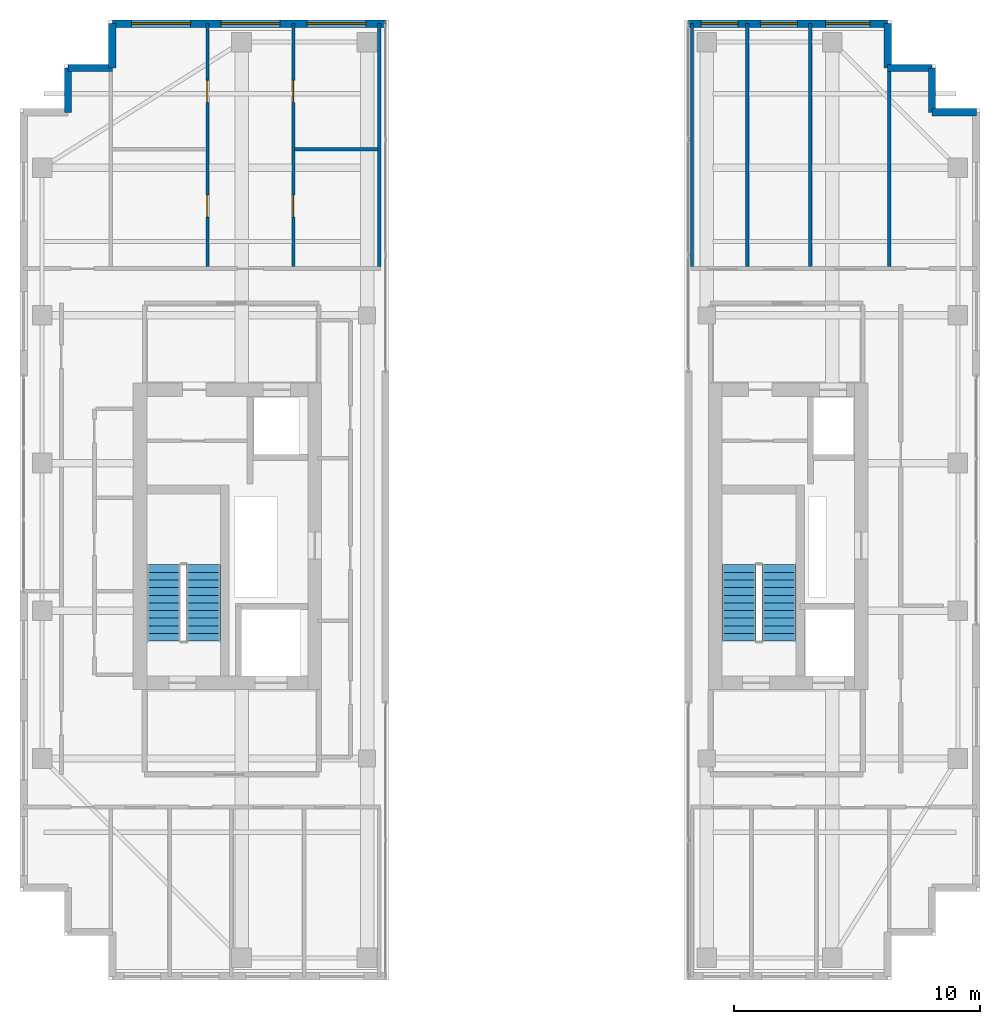
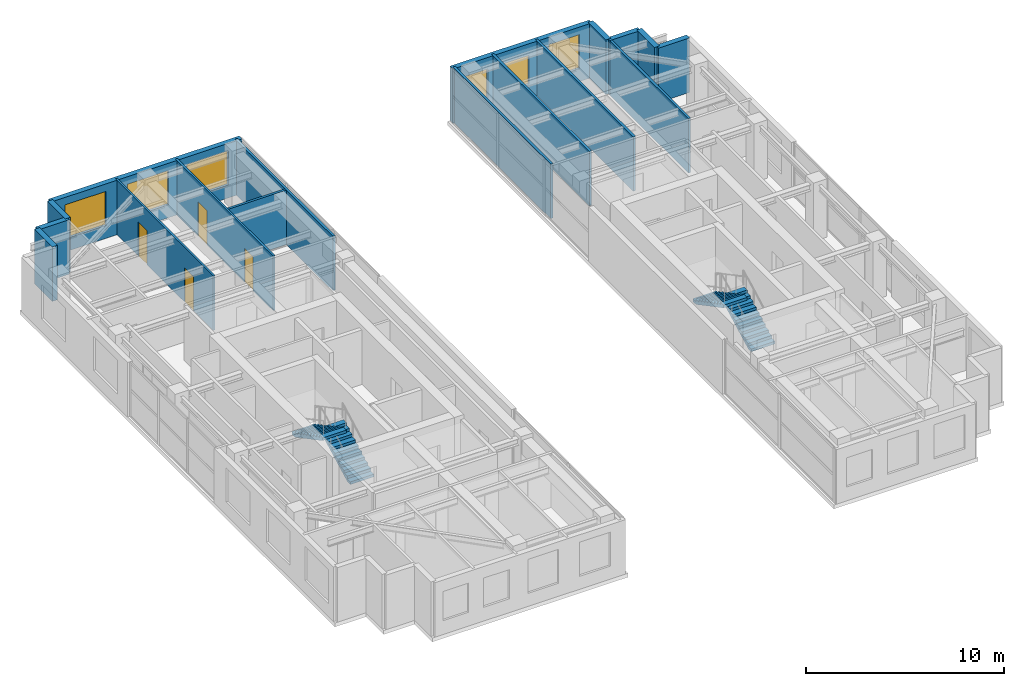
# One storey, part 21 of 23: 17 walls, 6 windows, 4 doors, 4 stair flights, 10 openings, 2 elements without a shape of their own.
"""IFC4 building model written with IfcOpenShell, lengths in metres."""

from ifc_helpers import new_model, si_unit, direction, frame, frame_2d, origin, place, context, subcontext, project, spatial, polyline, rectangle, outline, extrude, source, transform, mapped, material, layer, layer_set, type_object, element, fill, aggregate, save


model = new_model("IFC4")

# Units and contexts
model_context = context("Model", 3, precision=1e-05, world=origin(), true_north=direction((0.0, 1.0)))
body_context = subcontext(model_context, "Body", "Model", "MODEL_VIEW")
ifc_project = project(units=[si_unit("LENGTHUNIT", "METRE"), si_unit("AREAUNIT", "SQUARE_METRE"), si_unit("VOLUMEUNIT", "CUBIC_METRE"), si_unit("PLANEANGLEUNIT", "RADIAN"), si_unit("MASSUNIT", "GRAM", prefix="KILO")], contexts=[model_context])

# Site, building, storey
site_placement = place(None, origin())
site = spatial("IfcSite", under=ifc_project, at=site_placement, CompositionType="ELEMENT")
building_placement = place(site_placement, origin())
building = spatial("IfcBuilding", under=site, at=building_placement, Name="Khoralis Quay Care Tower", CompositionType="ELEMENT")
storey_placement = place(building_placement, frame((0.0, 0.0, 252.89990234375)))
storey = spatial("IfcBuildingStorey", under=building, at=storey_placement, Name="L66", CompositionType="ELEMENT", Elevation=252.89990234375)

# Wall, openings, windows
ifc_material_1 = material(Name="Precast concrete C45/55", Category="concrete")
ifc_layer_1 = layer(ifc_material_1, 0.300048828125)
ifc_layer_set_1 = layer_set([ifc_layer_1], Name="Precast concrete C45/55")
wall_type_1 = type_object("IfcWallType", Name="WL-EXT-REF-300", PredefinedType="SOLIDWALL", material=ifc_layer_set_1)
wall_1_placement = place(storey_placement, frame((17.85009765625, 41.85009765625, 0.0), z_axis=(0.0, 0.0, 1.0), x_axis=(-1.0, 0.0, 0.0)))
wall_1 = element("IfcWall", 1, at=wall_1_placement, inside=storey, type_object=wall_type_1, Name="L66 External Facade Wall WL-EXT-L66-P1-E2", PredefinedType="SOLIDWALL", context=body_context, shape_type="SweptSolid", body=[
    extrude(rectangle(XDim=11.10009765625, YDim=0.300048828125, at=frame_2d((5.550048828125, 0.0))), origin(), (0.0, 0.0, 1.0), 3.360107421875),
])
opening_1_placement = place(wall_1_placement, frame((0.797119140625, 0.0, 0.800048828125)))
opening_1 = element("IfcOpeningElement", 2, at=opening_1_placement, cuts=wall_1, Name="Opening W1", PredefinedType="OPENING", context=body_context, shape_type="SweptSolid", body=[
    extrude(rectangle(XDim=2.39990234375, YDim=2.10009765625, at=frame_2d((1.199951171875, 1.050048828125))), frame((0.0, 0.16015625, 0.0), z_axis=(0.0, -1.0, 0.0), x_axis=(1.0, 0.0, 0.0)), (0.0, 0.0, 1.0), 0.320068359375),
])
opening_2_placement = place(wall_1_placement, frame((4.29150390625, 0.0, 0.800048828125)))
opening_2 = element("IfcOpeningElement", 3, at=opening_2_placement, cuts=wall_1, Name="Opening W1", PredefinedType="OPENING", context=body_context, shape_type="SweptSolid", body=[
    extrude(rectangle(XDim=2.39990234375, YDim=2.10009765625, at=frame_2d((1.199951171875, 1.050048828125))), frame((0.0, 0.16015625, 0.0), z_axis=(0.0, -1.0, 0.0), x_axis=(1.0, 0.0, 0.0)), (0.0, 0.0, 1.0), 0.320068359375),
])
opening_3_placement = place(wall_1_placement, frame((7.91943359375, 0.0, 0.800048828125)))
opening_3 = element("IfcOpeningElement", 4, at=opening_3_placement, cuts=wall_1, Name="Opening W1", PredefinedType="OPENING", context=body_context, shape_type="SweptSolid", body=[
    extrude(rectangle(XDim=2.39990234375, YDim=2.10009765625, at=frame_2d((1.199951171875, 1.050048828125))), frame((0.0, 0.16015625, 0.0), z_axis=(0.0, -1.0, 0.0), x_axis=(1.0, 0.0, 0.0)), (0.0, 0.0, 1.0), 0.320068359375),
])
ifc_material_2 = material(Name="Low-E solar-control double glazing", Category="glass")
window_type_1 = type_object("IfcWindowType", Name="WN-POD-2400X2100", PartitioningType="SINGLE_PANEL", PredefinedType="WINDOW", material=ifc_material_2)
shared_shape_1 = source(origin(), body_context, "Body", "SweptSolid", [
    extrude(rectangle(XDim=2.39990234375, YDim=2.10009765625, at=frame_2d((1.199951171875, 1.050048828125))), frame((0.0, 0.030029296875, 0.0), z_axis=(0.0, -1.0, 0.0), x_axis=(1.0, 0.0, 0.0)), (0.0, 0.0, 1.0), 0.06005859375),
])
window_1_placement = place(opening_1_placement, origin())
window_1 = element("IfcWindow", 5, at=window_1_placement, inside=storey, type_object=window_type_1, Name="WN-L66-P1-E2 Facade Window 01", OverallHeight=2.10009765625, OverallWidth=2.39990234375, PartitioningType="SINGLE_PANEL", PredefinedType="WINDOW", context=body_context, shape_type="MappedRepresentation", body=[
    mapped(shared_shape_1, transform((0.0, 0.0, 0.0), scale=1.0)),
])
fill(opening_1, window_1)
window_2_placement = place(opening_2_placement, origin())
window_2 = element("IfcWindow", 6, at=window_2_placement, inside=storey, type_object=window_type_1, Name="WN-L66-P1-E2 Facade Window 02", OverallHeight=2.10009765625, OverallWidth=2.39990234375, PartitioningType="SINGLE_PANEL", PredefinedType="WINDOW", context=body_context, shape_type="MappedRepresentation", body=[
    mapped(shared_shape_1, transform((0.0, 0.0, 0.0), scale=1.0)),
])
fill(opening_2, window_2)
window_3_placement = place(opening_3_placement, origin())
window_3 = element("IfcWindow", 7, at=window_3_placement, inside=storey, type_object=window_type_1, Name="WN-L66-P1-E2 Facade Window 03", OverallHeight=2.10009765625, OverallWidth=2.39990234375, PartitioningType="SINGLE_PANEL", PredefinedType="WINDOW", context=body_context, shape_type="MappedRepresentation", body=[
    mapped(shared_shape_1, transform((0.0, 0.0, 0.0), scale=1.0)),
])
fill(opening_3, window_3)

# Walls
for number, where, z_axis, x_axis, name in (
    (8, (6.75, 41.85009765625, 0.0), (0.0, 0.0, 1.0), (0.0, -1.0, 0.0), "L66 External Facade Wall WL-EXT-L66-P1-C3"),
    (9, (6.75, 40.050048828125, 0.0), (0.0, 0.0, 1.0), (-1.0, 0.0, 0.0), "L66 External Facade Wall WL-EXT-L66-P1-C4"),
    (10, (4.949951171875, 40.050048828125, 0.0), (0.0, 0.0, 1.0), (0.0, -1.0, 0.0), "L66 External Facade Wall WL-EXT-L66-P1-C5"),
    (11, (41.85009765625, 38.25, 0.0), (0.0, 0.0, 1.0), (-1.0, 0.0, 0.0), "L66 External Facade Wall WL-EXT-L66-P2-C6"),
    (12, (40.050048828125, 38.25, 0.0), (0.0, 0.0, 1.0), (0.0, 1.0, 0.0), "L66 External Facade Wall WL-EXT-L66-P2-C7"),
    (13, (40.050048828125, 40.050048828125, 0.0), (0.0, 0.0, 1.0), (-1.0, 0.0, 0.0), "L66 External Facade Wall WL-EXT-L66-P2-C8"),
    (14, (38.25, 40.050048828125, 0.0), (0.0, 0.0, 1.0), (0.0, 1.0, 0.0), "L66 External Facade Wall WL-EXT-L66-P2-C9"),
):
    element("IfcWall", number, at=place(storey_placement, frame(where, z_axis=z_axis, x_axis=x_axis)), inside=storey, type_object=wall_type_1, Name=name, PredefinedType="SOLIDWALL", context=body_context, shape_type="SweptSolid", body=[
        extrude(rectangle(XDim=1.800048828125, YDim=0.300048828125, at=frame_2d((0.89990234375, 0.0))), origin(), (0.0, 0.0, 1.0), 3.360107421875),
    ])

# Wall, openings, windows
wall_2_placement = place(storey_placement, frame((38.25, 41.85009765625, 0.0), z_axis=(0.0, 0.0, 1.0), x_axis=(-1.0, 0.0, 0.0)))
wall_2 = element("IfcWall", 15, at=wall_2_placement, inside=storey, type_object=wall_type_1, Name="L66 External Facade Wall WL-EXT-L66-P2-E10", PredefinedType="SOLIDWALL", context=body_context, shape_type="SweptSolid", body=[
    extrude(rectangle(XDim=8.10009765625, YDim=0.300048828125, at=frame_2d((4.050048828125, 0.0))), origin(), (0.0, 0.0, 1.0), 3.360107421875),
])
opening_4_placement = place(wall_2_placement, frame((0.719970703125, 0.0, 0.800048828125)))
opening_4 = element("IfcOpeningElement", 16, at=opening_4_placement, cuts=wall_2, Name="Opening W2", PredefinedType="OPENING", context=body_context, shape_type="SweptSolid", body=[
    extrude(rectangle(XDim=1.800048828125, YDim=2.10009765625, at=frame_2d((0.89990234375, 1.050048828125))), frame((0.0, 0.16015625, 0.0), z_axis=(0.0, -1.0, 0.0), x_axis=(1.0, 0.0, 0.0)), (0.0, 0.0, 1.0), 0.320068359375),
])
opening_5_placement = place(wall_2_placement, frame((3.669921875, 0.0, 0.85009765625)))
opening_5 = element("IfcOpeningElement", 17, at=opening_5_placement, cuts=wall_2, Name="Opening W3", PredefinedType="OPENING", context=body_context, shape_type="SweptSolid", body=[
    extrude(rectangle(XDim=1.5, YDim=1.800048828125, at=frame_2d((0.75, 0.89990234375))), frame((0.0, 0.16015625, 0.0), z_axis=(0.0, -1.0, 0.0), x_axis=(1.0, 0.0, 0.0)), (0.0, 0.0, 1.0), 0.320068359375),
])
opening_6_placement = place(wall_2_placement, frame((6.074951171875, 0.0, 0.85009765625)))
opening_6 = element("IfcOpeningElement", 18, at=opening_6_placement, cuts=wall_2, Name="Opening W3", PredefinedType="OPENING", context=body_context, shape_type="SweptSolid", body=[
    extrude(rectangle(XDim=1.5, YDim=1.800048828125, at=frame_2d((0.75, 0.89990234375))), frame((0.0, 0.16015625, 0.0), z_axis=(0.0, -1.0, 0.0), x_axis=(1.0, 0.0, 0.0)), (0.0, 0.0, 1.0), 0.320068359375),
])
window_type_2 = type_object("IfcWindowType", Name="WN-CLIN-1500X1800", PartitioningType="SINGLE_PANEL", PredefinedType="WINDOW", material=ifc_material_2)
shared_shape_2 = source(origin(), body_context, "Body", "SweptSolid", [
    extrude(rectangle(XDim=1.5, YDim=1.800048828125, at=frame_2d((0.75, 0.89990234375))), frame((0.0, 0.030029296875, 0.0), z_axis=(0.0, -1.0, 0.0), x_axis=(1.0, 0.0, 0.0)), (0.0, 0.0, 1.0), 0.06005859375),
])
window_4_placement = place(opening_5_placement, origin())
window_4 = element("IfcWindow", 19, at=window_4_placement, inside=storey, type_object=window_type_2, Name="WN-L66-P2-E10 Facade Window 02", OverallHeight=1.800048828125, OverallWidth=1.5, PartitioningType="SINGLE_PANEL", PredefinedType="WINDOW", context=body_context, shape_type="MappedRepresentation", body=[
    mapped(shared_shape_2, transform((0.0, 0.0, 0.0), scale=1.0)),
])
fill(opening_5, window_4)
window_5_placement = place(opening_6_placement, origin())
window_5 = element("IfcWindow", 20, at=window_5_placement, inside=storey, type_object=window_type_2, Name="WN-L66-P2-E10 Facade Window 03", OverallHeight=1.800048828125, OverallWidth=1.5, PartitioningType="SINGLE_PANEL", PredefinedType="WINDOW", context=body_context, shape_type="MappedRepresentation", body=[
    mapped(shared_shape_2, transform((0.0, 0.0, 0.0), scale=1.0)),
])
fill(opening_6, window_5)
window_type_3 = type_object("IfcWindowType", Name="WN-POD-1800X2100", PartitioningType="SINGLE_PANEL", PredefinedType="WINDOW", material=ifc_material_2)
shared_shape_3 = source(origin(), body_context, "Body", "SweptSolid", [
    extrude(rectangle(XDim=1.800048828125, YDim=2.10009765625, at=frame_2d((0.89990234375, 1.050048828125))), frame((0.0, 0.030029296875, 0.0), z_axis=(0.0, -1.0, 0.0), x_axis=(1.0, 0.0, 0.0)), (0.0, 0.0, 1.0), 0.06005859375),
])
window_6_placement = place(opening_4_placement, origin())
window_6 = element("IfcWindow", 21, at=window_6_placement, inside=storey, type_object=window_type_3, Name="WN-L66-P2-E10 Facade Window 01", OverallHeight=2.10009765625, OverallWidth=1.800048828125, PartitioningType="SINGLE_PANEL", PredefinedType="WINDOW", context=body_context, shape_type="MappedRepresentation", body=[
    mapped(shared_shape_3, transform((0.0, 0.0, 0.0), scale=1.0)),
])
fill(opening_4, window_6)

# Wall, openings, doors
ifc_material_3 = material(Name="Gypsum plasterboard on acoustic metal stud")
ifc_layer_2 = layer(ifc_material_3, 0.114990234375)
ifc_layer_set_2 = layer_set([ifc_layer_2], Name="Gypsum plasterboard on acoustic metal stud")
wall_type_2 = type_object("IfcWallType", Name="WL-PART-115", PredefinedType="PARTITIONING", material=ifc_layer_set_2)
wall_3_placement = place(storey_placement, frame((10.611083984375, 31.9775390625, 0.0), z_axis=(0.0, 0.0, 1.0), x_axis=(0.0, 1.0, 0.0)))
wall_3 = element("IfcWall", 22, at=wall_3_placement, inside=storey, type_object=wall_type_2, Name="L66 2BR 0 Left Wall", PredefinedType="PARTITIONING", context=body_context, shape_type="SweptSolid", body=[
    extrude(rectangle(XDim=9.87744140625, YDim=0.114990234375, at=frame_2d((4.938720703125, 0.0))), origin(), (0.0, 0.0, 1.0), 3.360107421875),
])
opening_7_placement = place(wall_3_placement, frame((6.67138671875, 0.0, 0.0)))
opening_7 = element("IfcOpeningElement", 23, at=opening_7_placement, cuts=wall_3, Name="Opening WD1", PredefinedType="OPENING", context=body_context, shape_type="SweptSolid", body=[
    extrude(rectangle(XDim=0.89990234375, YDim=2.10009765625, at=frame_2d((0.449951171875, 1.050048828125))), frame((0.0, 0.0673828125, 0.0), z_axis=(0.0, -1.0, 0.0), x_axis=(1.0, 0.0, 0.0)), (0.0, 0.0, 1.0), 0.135009765625),
])
opening_8_placement = place(wall_3_placement, frame((2.011474609375, 0.0, 0.0)))
opening_8 = element("IfcOpeningElement", 24, at=opening_8_placement, cuts=wall_3, Name="Opening WD1", PredefinedType="OPENING", context=body_context, shape_type="SweptSolid", body=[
    extrude(rectangle(XDim=0.89990234375, YDim=2.10009765625, at=frame_2d((0.449951171875, 1.050048828125))), frame((0.0, 0.0673828125, 0.0), z_axis=(0.0, -1.0, 0.0), x_axis=(1.0, 0.0, 0.0)), (0.0, 0.0, 1.0), 0.135009765625),
])
ifc_material_4 = material(Name="Acoustic hardwood timber", Category="wood")
door_type = type_object("IfcDoorType", Name="DR-BATH-900X2100", OperationType="NOTDEFINED", PredefinedType="DOOR", material=ifc_material_4)
shared_shape_4 = source(origin(), body_context, "Body", "SweptSolid", [
    extrude(rectangle(XDim=0.89990234375, YDim=2.10009765625, at=frame_2d((0.449951171875, 1.050048828125))), frame((0.0, 0.02490234375, 0.0), z_axis=(0.0, -1.0, 0.0), x_axis=(1.0, 0.0, 0.0)), (0.0, 0.0, 1.0), 0.050048828125),
])
door_1_placement = place(opening_7_placement, origin())
door_1 = element("IfcDoor", 25, at=door_1_placement, inside=storey, type_object=door_type, Name="L66 2BR BD1 Door", OperationType="SINGLE_SWING_RIGHT", OverallHeight=2.10009765625, OverallWidth=0.89990234375, PredefinedType="DOOR", context=body_context, shape_type="MappedRepresentation", body=[
    mapped(shared_shape_4, transform((0.0, 0.0, 0.0), scale=1.0)),
])
fill(opening_7, door_1)
door_2_placement = place(opening_8_placement, origin())
door_2 = element("IfcDoor", 26, at=door_2_placement, inside=storey, type_object=door_type, Name="L66 2BR BTH Door", OperationType="SINGLE_SWING_LEFT", OverallHeight=2.10009765625, OverallWidth=0.89990234375, PredefinedType="DOOR", context=body_context, shape_type="MappedRepresentation", body=[
    mapped(shared_shape_4, transform((0.0, 0.0, 0.0), scale=1.0)),
])
fill(opening_8, door_2)

wall_4_placement = place(storey_placement, frame((14.10595703125, 31.9775390625, 0.0), z_axis=(0.0, 0.0, 1.0), x_axis=(0.0, 1.0, 0.0)))
wall_4 = element("IfcWall", 27, at=wall_4_placement, inside=storey, type_object=wall_type_2, Name="L66 2BR 0 Right Wall", PredefinedType="PARTITIONING", context=body_context, shape_type="SweptSolid", body=[
    extrude(rectangle(XDim=9.87744140625, YDim=0.114990234375, at=frame_2d((4.938720703125, 0.0))), origin(), (0.0, 0.0, 1.0), 3.360107421875),
])
opening_9_placement = place(wall_4_placement, frame((6.67138671875, 0.0, 0.0)))
opening_9 = element("IfcOpeningElement", 28, at=opening_9_placement, cuts=wall_4, Name="Opening WD1", PredefinedType="OPENING", context=body_context, shape_type="SweptSolid", body=[
    extrude(rectangle(XDim=0.89990234375, YDim=2.10009765625, at=frame_2d((0.449951171875, 1.050048828125))), frame((0.0, 0.0673828125, 0.0), z_axis=(0.0, -1.0, 0.0), x_axis=(1.0, 0.0, 0.0)), (0.0, 0.0, 1.0), 0.135009765625),
])
opening_10_placement = place(wall_4_placement, frame((2.011474609375, 0.0, 0.0)))
opening_10 = element("IfcOpeningElement", 29, at=opening_10_placement, cuts=wall_4, Name="Opening WD1", PredefinedType="OPENING", context=body_context, shape_type="SweptSolid", body=[
    extrude(rectangle(XDim=0.89990234375, YDim=2.10009765625, at=frame_2d((0.449951171875, 1.050048828125))), frame((0.0, 0.0673828125, 0.0), z_axis=(0.0, -1.0, 0.0), x_axis=(1.0, 0.0, 0.0)), (0.0, 0.0, 1.0), 0.135009765625),
])
door_3_placement = place(opening_9_placement, frame((0.89990234375, 0.0, 0.0), z_axis=(0.0, 0.0, 1.0), x_axis=(-1.0, 0.0, 0.0)))
door_3 = element("IfcDoor", 30, at=door_3_placement, inside=storey, type_object=door_type, Name="L66 2BR BD2 Door", OperationType="SINGLE_SWING_RIGHT", OverallHeight=2.10009765625, OverallWidth=0.89990234375, PredefinedType="DOOR", context=body_context, shape_type="MappedRepresentation", body=[
    mapped(shared_shape_4, transform((0.0, 0.0, 0.0), scale=1.0)),
])
fill(opening_9, door_3)
door_4_placement = place(opening_10_placement, frame((0.89990234375, 0.0, 0.0), z_axis=(0.0, 0.0, 1.0), x_axis=(-1.0, 0.0, 0.0)))
door_4 = element("IfcDoor", 31, at=door_4_placement, inside=storey, type_object=door_type, Name="L66 2BR KIT Door", OperationType="SINGLE_SWING_LEFT", OverallHeight=2.10009765625, OverallWidth=0.89990234375, PredefinedType="DOOR", context=body_context, shape_type="MappedRepresentation", body=[
    mapped(shared_shape_4, transform((0.0, 0.0, 0.0), scale=1.0)),
])
fill(opening_10, door_4)

# Walls
ifc_material_5 = material(Name="Moisture-resistant gypsum and ceramic tile")
ifc_layer_3 = layer(ifc_material_5, 0.280029296875)
ifc_layer_set_3 = layer_set([ifc_layer_3], Name="Moisture-resistant gypsum and ceramic tile")
wall_type_3 = type_object("IfcWallType", Name="WL-PLUMB-280", PredefinedType="PLUMBINGWALL", material=ifc_layer_set_3)
wall_5_placement = place(storey_placement, frame((14.158447265625, 36.748046875, 0.0), z_axis=(0.0, 0.0, 1.0), x_axis=(1.0, 0.0, 0.0)))
element("IfcWall", 32, at=wall_5_placement, inside=storey, type_object=wall_type_3, Name="L66 2BR 0 Right Split", PredefinedType="PLUMBINGWALL", context=body_context, shape_type="SweptSolid", body=[
    extrude(rectangle(XDim=3.37646484375, YDim=0.139892578125, at=frame_2d((1.688232421875, 0.0))), origin(), (0.0, 0.0, 1.0), 3.360107421875),
])
ifc_layer_4 = layer(ifc_material_3, 0.139892578125)
ifc_layer_set_4 = layer_set([ifc_layer_4], Name="Gypsum plasterboard on acoustic metal stud")
wall_type_4 = type_object("IfcWallType", Name="WL-UNIT-140", PredefinedType="PARTITIONING", material=ifc_layer_set_4)
for number, where, z_axis, x_axis, name in (
    (33, (17.60009765625, 31.9775390625, 0.0), (0.0, 0.0, 1.0), (0.0, 1.0, 0.0), "L66 WN Demising Wall 1"),
    (34, (30.300048828125, 31.9775390625, 0.0), (0.0, 0.0, 1.0), (0.0, 1.0, 0.0), "L66 EN Demising Wall 0"),
    (35, (32.550048828125, 31.9775390625, 0.0), (0.0, 0.0, 1.0), (0.0, 1.0, 0.0), "L66 EN Demising Wall 1"),
    (36, (35.110107421875, 31.9775390625, 0.0), (0.0, 0.0, 1.0), (0.0, 1.0, 0.0), "L66 EN Demising Wall 2"),
):
    element("IfcWall", number, at=place(storey_placement, frame(where, z_axis=z_axis, x_axis=x_axis)), inside=storey, type_object=wall_type_4, Name=name, PredefinedType="PARTITIONING", context=body_context, shape_type="SweptSolid", body=[
        extrude(rectangle(XDim=9.87744140625, YDim=0.139892578125, at=frame_2d((4.938720703125, 0.0))), origin(), (0.0, 0.0, 1.0), 3.360107421875),
    ])
wall_6_placement = place(storey_placement, frame((38.320068359375, 31.9775390625, 0.0), z_axis=(0.0, 0.0, 1.0), x_axis=(0.0, 1.0, 0.0)))
element("IfcWall", 37, at=wall_6_placement, inside=storey, type_object=wall_type_4, Name="L66 EN Demising Wall 3", PredefinedType="PARTITIONING", context=body_context, shape_type="SweptSolid", body=[
    extrude(rectangle(XDim=8.077392578125, YDim=0.139892578125, at=frame_2d((4.03857421875, 0.0))), origin(), (0.0, 0.0, 1.0), 3.360107421875),
])

# Stair, stair flights
stair_type = type_object("IfcStairType", Name="ST-TWR-DOGLEG-1400", PredefinedType="HALF_TURN_STAIR", material=ifc_material_1)
stair_1_placement = place(storey_placement, origin())
stair_1 = element("IfcStair", 38, at=stair_1_placement, inside=storey, type_object=stair_type, Name="L66 West Core Exit Stair ST-T1", PredefinedType="HALF_TURN_STAIR")
stair_flight_type = type_object("IfcStairFlightType", Name="SF-TWR-1400", PredefinedType="STRAIGHT", material=ifc_material_1)
shared_shape_5 = source(origin(), body_context, "Body", "SweptSolid", [
    extrude(outline(polyline([(0.0, 0.0), (0.0, 0.16357421875), (0.31005859375, 0.16357421875), (0.31005859375, 0.327392578125), (0.6201171875, 0.327392578125), (0.6201171875, 0.490966796875), (0.929931640625, 0.490966796875), (0.929931640625, 0.654541015625), (1.239990234375, 0.654541015625), (1.239990234375, 0.818115234375), (1.550048828125, 0.818115234375), (1.550048828125, 0.98193359375), (1.860107421875, 0.98193359375), (1.860107421875, 1.1455078125), (2.169921875, 1.1455078125), (2.169921875, 1.30908203125), (2.47998046875, 1.30908203125), (2.47998046875, 1.47265625), (2.7900390625, 1.47265625), (2.7900390625, 1.636474609375), (3.10009765625, 1.636474609375), (3.10009765625, 1.800048828125), (3.10009765625, 1.466796875), (0.321044921875, 0.0), (0.0, 0.0)])), frame((0.0, 0.68994140625, 0.0), z_axis=(0.0, -1.0, 0.0), x_axis=(1.0, 0.0, 0.0)), (0.0, 0.0, 1.0), 1.3798828125),
])
stair_flight_1_placement = place(storey_placement, frame((10.4599609375, 16.77001953125, 0.0), z_axis=(0.0, 0.0, 1.0), x_axis=(0.0, 1.0, 0.0)))
stair_flight_1 = element("IfcStairFlight", 39, at=stair_flight_1_placement, type_object=stair_flight_type, Name="ST-T1 flight 1", NumberOfRisers=11, NumberOfTreads=10, PredefinedType="STRAIGHT", RiserHeight=0.163636364, TreadLength=0.31, context=body_context, shape_type="MappedRepresentation", body=[
    mapped(shared_shape_5, transform((0.0, 0.0, 0.0), scale=1.0)),
])
stair_flight_2_placement = place(storey_placement, frame((8.840087890625, 19.8701171875, 1.800048828125), z_axis=(0.0, 0.0, 1.0), x_axis=(0.0, -1.0, 0.0)))
stair_flight_2 = element("IfcStairFlight", 40, at=stair_flight_2_placement, type_object=stair_flight_type, Name="ST-T1 flight 2", NumberOfRisers=11, NumberOfTreads=10, PredefinedType="STRAIGHT", RiserHeight=0.163636364, TreadLength=0.31, context=body_context, shape_type="MappedRepresentation", body=[
    mapped(shared_shape_5, transform((0.0, 0.0, 0.0), scale=1.0)),
])
aggregate(stair_1, [stair_flight_1, stair_flight_2])

stair_2_placement = place(storey_placement, origin())
stair_2 = element("IfcStair", 41, at=stair_2_placement, inside=storey, type_object=stair_type, Name="L66 East Core Exit Stair ST-T2", PredefinedType="HALF_TURN_STAIR")
stair_flight_3_placement = place(storey_placement, frame((33.830078125, 16.77001953125, 0.0), z_axis=(0.0, 0.0, 1.0), x_axis=(0.0, 1.0, 0.0)))
stair_flight_3 = element("IfcStairFlight", 42, at=stair_flight_3_placement, type_object=stair_flight_type, Name="ST-T2 flight 1", NumberOfRisers=11, NumberOfTreads=10, PredefinedType="STRAIGHT", RiserHeight=0.163636364, TreadLength=0.31, context=body_context, shape_type="MappedRepresentation", body=[
    mapped(shared_shape_5, transform((0.0, 0.0, 0.0), scale=1.0)),
])
stair_flight_4_placement = place(storey_placement, frame((32.2099609375, 19.8701171875, 1.800048828125), z_axis=(0.0, 0.0, 1.0), x_axis=(0.0, -1.0, 0.0)))
stair_flight_4 = element("IfcStairFlight", 43, at=stair_flight_4_placement, type_object=stair_flight_type, Name="ST-T2 flight 2", NumberOfRisers=11, NumberOfTreads=10, PredefinedType="STRAIGHT", RiserHeight=0.163636364, TreadLength=0.31, context=body_context, shape_type="MappedRepresentation", body=[
    mapped(shared_shape_5, transform((0.0, 0.0, 0.0), scale=1.0)),
])
aggregate(stair_2, [stair_flight_3, stair_flight_4])

save(model, "model.ifc")
